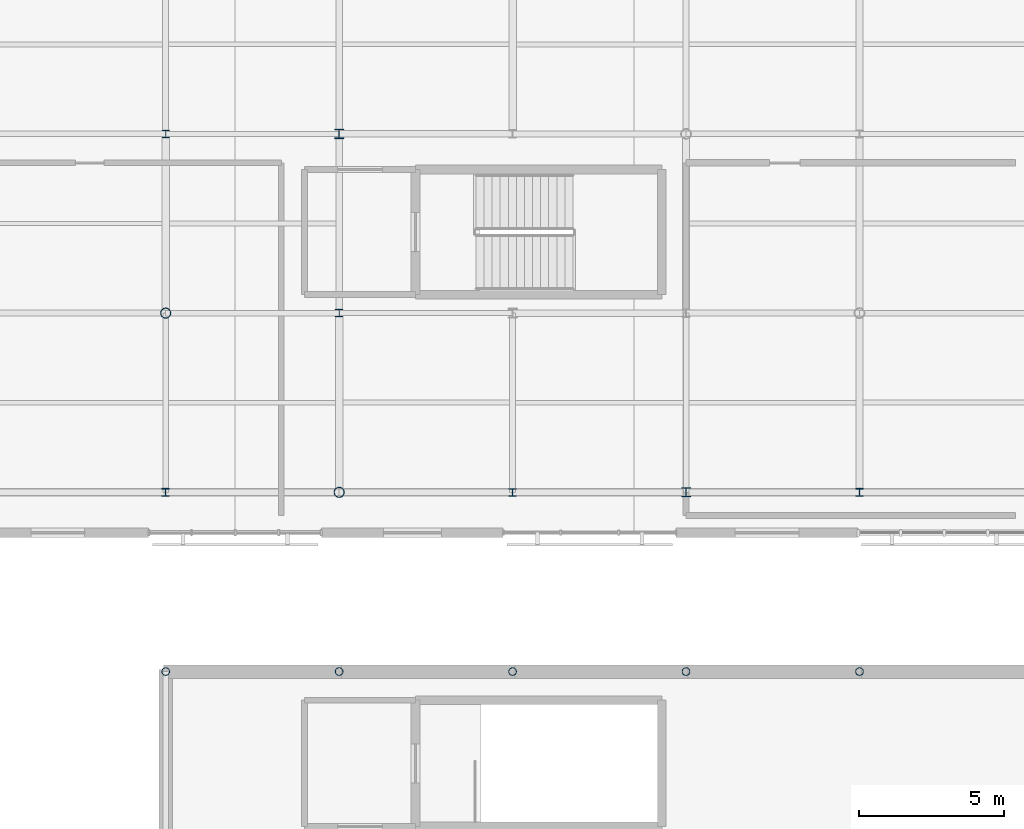
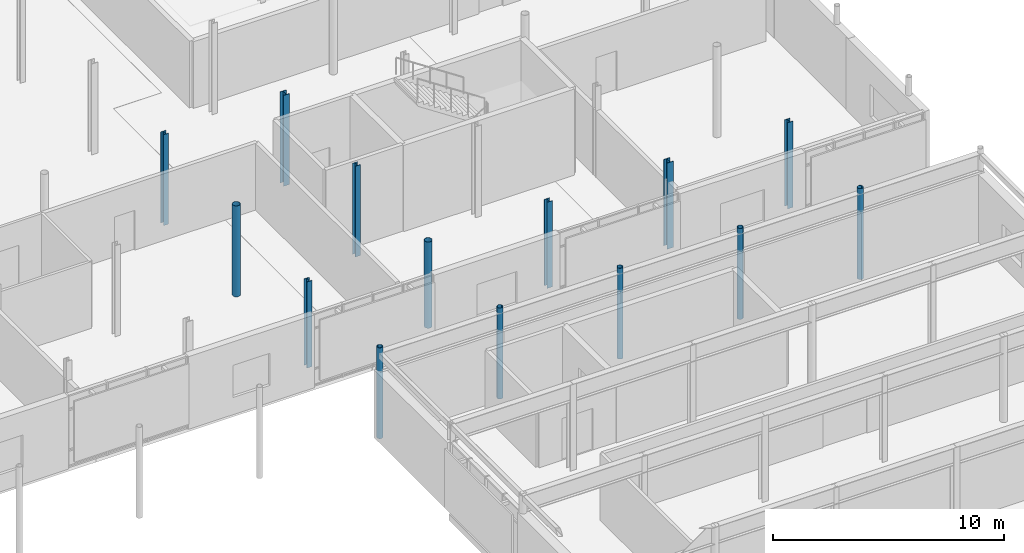
# One storey, part 13 of 84: 14 columns.
"""IFC4 building model written with IfcOpenShell, lengths in metres."""

from ifc_helpers import new_model, si_unit, direction, frame, origin, origin_2d, place, context, subcontext, project, spatial, hollow_circle, i_section, extrude, material, material_profile, profile_set, type_object, element, save


model = new_model("IFC4")

# Units and contexts
model_context = context("Model", 3, precision=1e-05, world=origin(), true_north=direction((0.0, 1.0)))
body_context = subcontext(model_context, "Body", "Model", "MODEL_VIEW")
ifc_project = project(units=[si_unit("LENGTHUNIT", "METRE"), si_unit("AREAUNIT", "SQUARE_METRE"), si_unit("VOLUMEUNIT", "CUBIC_METRE"), si_unit("PLANEANGLEUNIT", "RADIAN"), si_unit("MASSUNIT", "GRAM", prefix="KILO")], contexts=[model_context])

# Site, building, storey
site_placement = place(None, origin())
site = spatial("IfcSite", under=ifc_project, at=site_placement, CompositionType="ELEMENT")
building_placement = place(site_placement, origin())
building = spatial("IfcBuilding", under=site, at=building_placement, Name="Mirzam Square Science Centre", CompositionType="ELEMENT")
storey_placement = place(building_placement, frame((0.0, 0.0, 10.800048828125)))
storey = spatial("IfcBuildingStorey", under=building, at=storey_placement, Name="L02", CompositionType="ELEMENT", Elevation=10.800048828125)

# Columns
ifc_material = material(Name="Steel S355", Category="steel")
ifc_material_profile_1 = material_profile(ifc_material, hollow_circle(Radius=0.136474609375, WallThickness=0.010009765625, at=origin_2d()), Name="273.0x10.0CHS")
ifc_profile_set_1 = profile_set([ifc_material_profile_1], Name="Steel S355")
column_type_1 = type_object("IfcColumnType", Name="COL-CHS273", PredefinedType="COLUMN", material=ifc_profile_set_1)
for number, where, z_axis, x_axis, name in (
    (1, (132.0, 37.199951171875, 0.0), (0.0, 0.0, 1.0), (1.0, 0.0, 0.0), "L02 column G23-07"),
    (2, (138.0, 37.199951171875, 0.0), (0.0, 0.0, 1.0), (1.0, 0.0, 0.0), "L02 column G24-07"),
    (3, (144.0, 37.199951171875, 0.0), (0.0, 0.0, 1.0), (1.0, 0.0, 0.0), "L02 column G25-07"),
    (4, (150.0, 37.199951171875, 0.0), (0.0, 0.0, 1.0), (1.0, 0.0, 0.0), "L02 column G26-07"),
    (5, (156.0, 37.199951171875, 0.0), (0.0, 0.0, 1.0), (1.0, 0.0, 0.0), "L02 column G27-07"),
):
    element("IfcColumn", number, at=place(storey_placement, frame(where, z_axis=z_axis, x_axis=x_axis)), inside=storey, type_object=column_type_1, Name=name, PredefinedType="COLUMN", context=body_context, shape_type="SweptSolid", body=[
        extrude(hollow_circle(Radius=0.136474609375, WallThickness=0.010009765625, at=origin_2d()), origin(), (0.0, 0.0, 1.0), 4.800048828125),
    ])
ifc_material_profile_2 = material_profile(ifc_material, hollow_circle(Radius=0.177734375, WallThickness=0.012451171875, at=origin_2d()), Name="355.6x12.5CHS")
ifc_profile_set_2 = profile_set([ifc_material_profile_2], Name="Steel S355")
column_type_2 = type_object("IfcColumnType", Name="COL-CHS355", PredefinedType="COLUMN", material=ifc_profile_set_2)
column_1_placement = place(storey_placement, frame((132.0, 49.60009765625, 0.0), z_axis=(0.0, 0.0, 1.0), x_axis=(1.0, 0.0, 0.0)))
element("IfcColumn", 6, at=column_1_placement, inside=storey, type_object=column_type_2, Name="L02 column G23-09", PredefinedType="COLUMN", context=body_context, shape_type="SweptSolid", body=[
    extrude(hollow_circle(Radius=0.177734375, WallThickness=0.012451171875, at=origin_2d()), origin(), (0.0, 0.0, 1.0), 4.800048828125),
])
column_2_placement = place(storey_placement, frame((138.0, 43.39990234375, 0.0), z_axis=(0.0, 0.0, 1.0), x_axis=(1.0, 0.0, 0.0)))
element("IfcColumn", 7, at=column_2_placement, inside=storey, type_object=column_type_2, Name="L02 column G24-08", PredefinedType="COLUMN", context=body_context, shape_type="SweptSolid", body=[
    extrude(hollow_circle(Radius=0.177734375, WallThickness=0.012451171875, at=origin_2d()), origin(), (0.0, 0.0, 1.0), 4.550048828125),
])
ifc_material_profile_3 = material_profile(ifc_material, i_section(OverallWidth=0.25634765625, OverallDepth=0.26025390625, WebThickness=0.01025390625, FlangeThickness=0.017333984375, FilletRadius=0.0126953125, at=origin_2d()), Name="254x254x89UC")
ifc_profile_set_3 = profile_set([ifc_material_profile_3], Name="Steel S355")
column_type_3 = type_object("IfcColumnType", Name="COL-UC254A", PredefinedType="COLUMN", material=ifc_profile_set_3)
for number, where, z_axis, x_axis, name in (
    (8, (132.0, 55.800048828125, 0.0), (0.0, 0.0, 1.0), (1.0, 0.0, 0.0), "L02 column G23-10"),
    (9, (138.0, 49.60009765625, 0.0), (0.0, 0.0, 1.0), (1.0, 0.0, 0.0), "L02 column G24-09"),
):
    element("IfcColumn", number, at=place(storey_placement, frame(where, z_axis=z_axis, x_axis=x_axis)), inside=storey, type_object=column_type_3, Name=name, PredefinedType="COLUMN", context=body_context, shape_type="SweptSolid", body=[
        extrude(i_section(OverallWidth=0.25634765625, OverallDepth=0.26025390625, WebThickness=0.01025390625, FlangeThickness=0.017333984375, FilletRadius=0.0126953125, at=origin_2d()), origin(), (0.0, 0.0, 1.0), 4.800048828125),
    ])
column_3_placement = place(storey_placement, frame((144.0, 43.39990234375, 0.0), z_axis=(0.0, 0.0, 1.0), x_axis=(1.0, 0.0, 0.0)))
element("IfcColumn", 10, at=column_3_placement, inside=storey, type_object=column_type_3, Name="L02 column G25-08", PredefinedType="COLUMN", context=body_context, shape_type="SweptSolid", body=[
    extrude(i_section(OverallWidth=0.25634765625, OverallDepth=0.26025390625, WebThickness=0.01025390625, FlangeThickness=0.017333984375, FilletRadius=0.0126953125, at=origin_2d()), origin(), (0.0, 0.0, 1.0), 4.550048828125),
])
ifc_material_profile_4 = material_profile(ifc_material, i_section(OverallWidth=0.26123046875, OverallDepth=0.2763671875, WebThickness=0.015380859375, FlangeThickness=0.025390625, FilletRadius=0.0126953125, at=origin_2d()), Name="254x254x132UC")
ifc_profile_set_4 = profile_set([ifc_material_profile_4], Name="Steel S355")
column_type_4 = type_object("IfcColumnType", Name="COL-UC254B", PredefinedType="COLUMN", material=ifc_profile_set_4)
for number, where, z_axis, x_axis, name in (
    (11, (132.0, 43.39990234375, 0.0), (0.0, 0.0, 1.0), (1.0, 0.0, 0.0), "L02 column G23-08"),
    (12, (156.0, 43.39990234375, 0.0), (0.0, 0.0, 1.0), (1.0, 0.0, 0.0), "L02 column G27-08"),
):
    element("IfcColumn", number, at=place(storey_placement, frame(where, z_axis=z_axis, x_axis=x_axis)), inside=storey, type_object=column_type_4, Name=name, PredefinedType="COLUMN", context=body_context, shape_type="SweptSolid", body=[
        extrude(i_section(OverallWidth=0.26123046875, OverallDepth=0.2763671875, WebThickness=0.015380859375, FlangeThickness=0.025390625, FilletRadius=0.0126953125, at=origin_2d()), origin(), (0.0, 0.0, 1.0), 4.550048828125),
    ])
ifc_material_profile_5 = material_profile(ifc_material, i_section(OverallWidth=0.30908203125, OverallDepth=0.320556640625, WebThickness=0.013916015625, FlangeThickness=0.021728515625, FilletRadius=0.01513671875, at=origin_2d()), Name="305x305x137UC")
ifc_profile_set_5 = profile_set([ifc_material_profile_5], Name="Steel S355")
column_type_5 = type_object("IfcColumnType", Name="COL-UC305A", PredefinedType="COLUMN", material=ifc_profile_set_5)
column_4_placement = place(storey_placement, frame((138.0, 55.800048828125, 0.0), z_axis=(0.0, 0.0, 1.0), x_axis=(1.0, 0.0, 0.0)))
element("IfcColumn", 13, at=column_4_placement, inside=storey, type_object=column_type_5, Name="L02 column G24-10", PredefinedType="COLUMN", context=body_context, shape_type="SweptSolid", body=[
    extrude(i_section(OverallWidth=0.30908203125, OverallDepth=0.320556640625, WebThickness=0.013916015625, FlangeThickness=0.021728515625, FilletRadius=0.01513671875, at=origin_2d()), origin(), (0.0, 0.0, 1.0), 4.800048828125),
])
column_5_placement = place(storey_placement, frame((150.0, 43.39990234375, 0.0), z_axis=(0.0, 0.0, 1.0), x_axis=(1.0, 0.0, 0.0)))
element("IfcColumn", 14, at=column_5_placement, inside=storey, type_object=column_type_5, Name="L02 column G26-08", PredefinedType="COLUMN", context=body_context, shape_type="SweptSolid", body=[
    extrude(i_section(OverallWidth=0.30908203125, OverallDepth=0.320556640625, WebThickness=0.013916015625, FlangeThickness=0.021728515625, FilletRadius=0.01513671875, at=origin_2d()), origin(), (0.0, 0.0, 1.0), 4.550048828125),
])

save(model, "model.ifc")
